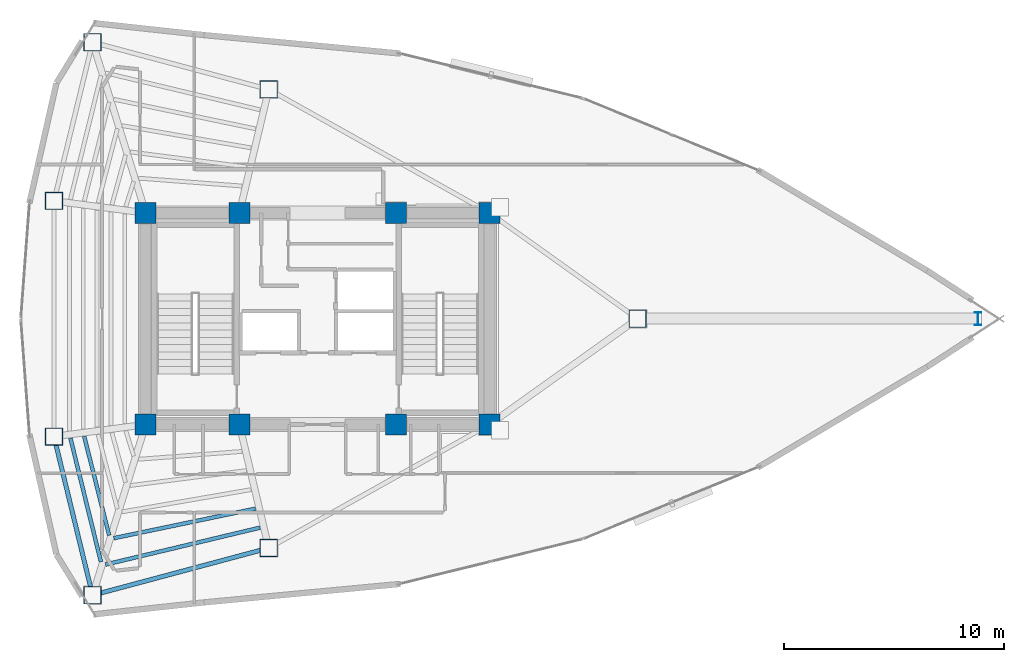
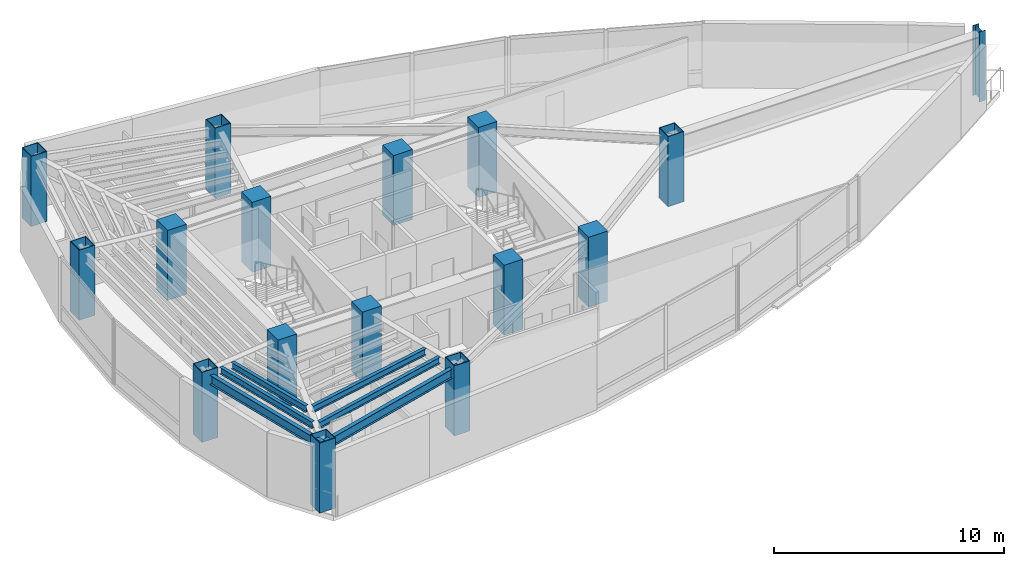
# One storey, part 1 of 17: 16 columns, 6 beams.
"""IFC4 building model written with IfcOpenShell, lengths in metres."""

from ifc_helpers import new_model, si_unit, direction, frame, origin, origin_2d, place, context, subcontext, project, spatial, rectangle, hollow_rectangle, i_section, extrude, material, material_profile, profile_set, type_object, element, save


model = new_model("IFC4")

# Units and contexts
model_context = context("Model", 3, precision=1e-05, world=origin(), true_north=direction((0.0, 1.0)))
body_context = subcontext(model_context, "Body", "Model", "MODEL_VIEW")
ifc_project = project(units=[si_unit("LENGTHUNIT", "METRE"), si_unit("AREAUNIT", "SQUARE_METRE"), si_unit("VOLUMEUNIT", "CUBIC_METRE"), si_unit("PLANEANGLEUNIT", "RADIAN"), si_unit("MASSUNIT", "GRAM", prefix="KILO")], contexts=[model_context])

# Site, building, storey
site_placement = place(None, origin())
site = spatial("IfcSite", under=ifc_project, at=site_placement, CompositionType="ELEMENT")
building_placement = place(site_placement, origin())
building = spatial("IfcBuilding", under=site, at=building_placement, Name="Menara Vayukalpa", CompositionType="ELEMENT")
storey_placement = place(building_placement, frame((0.0, 0.0, 234.419921875)))
storey = spatial("IfcBuildingStorey", under=building, at=storey_placement, Name="L59", CompositionType="ELEMENT", Elevation=234.419921875)

# Columns
ifc_material_1 = material(Name="Concrete C60/75", Category="concrete")
ifc_material_profile_1 = material_profile(ifc_material_1, rectangle(XDim=0.949951171875, YDim=0.949951171875, at=origin_2d()), Name="RC 950x950")
ifc_profile_set_1 = profile_set([ifc_material_profile_1], Name="Concrete C60/75")
column_type_1 = type_object("IfcColumnType", Name="COL-CC2", PredefinedType="COLUMN", material=ifc_profile_set_1)
for number, where, z_axis, x_axis, name in (
    (1, (17.800048828125, 17.199951171875, 0.0), (0.0, 0.0, 1.0), (1.0, 0.0, 0.0), "L59 Core Pilaster Column CC1"),
    (2, (22.050048828125, 17.199951171875, 0.0), (0.0, 0.0, 1.0), (1.0, 0.0, 0.0), "L59 Core Pilaster Column CC2"),
    (3, (29.14990234375, 17.199951171875, 0.0), (0.0, 0.0, 1.0), (1.0, 0.0, 0.0), "L59 Core Pilaster Column CC3"),
    (4, (33.39990234375, 17.199951171875, 0.0), (0.0, 0.0, 1.0), (1.0, 0.0, 0.0), "L59 Core Pilaster Column CC4"),
    (5, (17.800048828125, 26.800048828125, 0.0), (0.0, 0.0, 1.0), (1.0, 0.0, 0.0), "L59 Core Pilaster Column CC5"),
    (6, (22.050048828125, 26.800048828125, 0.0), (0.0, 0.0, 1.0), (1.0, 0.0, 0.0), "L59 Core Pilaster Column CC6"),
    (7, (29.14990234375, 26.800048828125, 0.0), (0.0, 0.0, 1.0), (1.0, 0.0, 0.0), "L59 Core Pilaster Column CC7"),
    (8, (33.39990234375, 26.800048828125, 0.0), (0.0, 0.0, 1.0), (1.0, 0.0, 0.0), "L59 Core Pilaster Column CC8"),
):
    element("IfcColumn", number, at=place(storey_placement, frame(where, z_axis=z_axis, x_axis=x_axis)), inside=storey, type_object=column_type_1, Name=name, PredefinedType="COLUMN", context=body_context, shape_type="SweptSolid", body=[
        extrude(rectangle(XDim=0.949951171875, YDim=0.949951171875, at=origin_2d()), origin(), (0.0, 0.0, 1.0), 3.719970703125),
    ])
ifc_material_2 = material(Name="Steel S355", Category="steel")
ifc_material_profile_2 = material_profile(ifc_material_2, hollow_rectangle(XDim=0.800048828125, YDim=0.800048828125, WallThickness=0.034912109375, at=origin_2d()), Name="BOX 800x800x35")
ifc_profile_set_2 = profile_set([ifc_material_profile_2], Name="Steel S355")
column_type_2 = type_object("IfcColumnType", Name="COL-MC5", PredefinedType="COLUMN", material=ifc_profile_set_2)
for number, where, z_axis, x_axis, name in (
    (9, (40.121826171875, 22.0, 0.0), (0.0, 0.0, 1.0), (1.0, 0.0, 0.0), "L59 Perimeter Mega Column P01"),
    (10, (23.3818359375, 32.40478515625, 0.0), (0.0, 0.0, 1.0), (1.0, 0.0, 0.0), "L59 Perimeter Mega Column P03"),
    (11, (15.38916015625, 34.544677734375, 0.0), (0.0, 0.0, 1.0), (1.0, 0.0, 0.0), "L59 Perimeter Mega Column P04"),
    (12, (13.638916015625, 27.3466796875, 0.0), (0.0, 0.0, 1.0), (1.0, 0.0, 0.0), "L59 Perimeter Mega Column P05"),
    (13, (13.638916015625, 16.6533203125, 0.0), (0.0, 0.0, 1.0), (1.0, 0.0, 0.0), "L59 Perimeter Mega Column P06"),
    (14, (15.38916015625, 9.455322265625, 0.0), (0.0, 0.0, 1.0), (1.0, 0.0, 0.0), "L59 Perimeter Mega Column P07"),
    (15, (23.3818359375, 11.59521484375, 0.0), (0.0, 0.0, 1.0), (1.0, 0.0, 0.0), "L59 Perimeter Mega Column P08"),
):
    element("IfcColumn", number, at=place(storey_placement, frame(where, z_axis=z_axis, x_axis=x_axis)), inside=storey, type_object=column_type_2, Name=name, PredefinedType="COLUMN", context=body_context, shape_type="SweptSolid", body=[
        extrude(hollow_rectangle(XDim=0.800048828125, YDim=0.800048828125, WallThickness=0.034912109375, at=origin_2d()), origin(), (0.0, 0.0, 1.0), 3.719970703125),
    ])
ifc_material_3 = material(Name="Steel S460", Category="steel")
ifc_material_profile_3 = material_profile(ifc_material_3, i_section(OverallWidth=0.300048828125, OverallDepth=0.587890625, WebThickness=0.011962890625, FlangeThickness=0.02001953125, at=origin_2d()), Name="H 588x300x12x20")
ifc_profile_set_3 = profile_set([ifc_material_profile_3], Name="Steel S460")
column_type_3 = type_object("IfcColumnType", Name="COL-SC1", PredefinedType="COLUMN", material=ifc_profile_set_3)
column_placement = place(storey_placement, frame((55.564697265625, 22.0, 0.0), z_axis=(0.0, 0.0, 1.0), x_axis=(1.0, 0.0, 0.0)))
element("IfcColumn", 16, at=column_placement, inside=storey, type_object=column_type_3, Name="L59 SB5 Sky Bar Vierendeel Column SB01", PredefinedType="COLUMN", context=body_context, shape_type="SweptSolid", body=[
    extrude(i_section(OverallWidth=0.300048828125, OverallDepth=0.587890625, WebThickness=0.011962890625, FlangeThickness=0.02001953125, at=origin_2d()), origin(), (0.0, 0.0, 1.0), 3.719970703125),
])

# Beams
ifc_material_4 = material(Name="Steel S355", Category="steel")
ifc_material_profile_4 = material_profile(ifc_material_4, i_section(OverallWidth=0.175048828125, OverallDepth=0.35009765625, WebThickness=0.007080078125, FlangeThickness=0.010986328125, at=origin_2d()), Name="WF 350x175x7x11")
ifc_profile_set_4 = profile_set([ifc_material_profile_4], Name="Steel S355")
beam_type_1 = type_object("IfcBeamType", Name="BM-SJ3", PredefinedType="JOIST", material=ifc_profile_set_4)
beam_1_placement = place(storey_placement, frame((15.010986328125, 16.6630859375, 3.26513671875), z_axis=(0.244247063973, -0.969713035769, 0.0), x_axis=(0.969713035769, 0.244247063973, 0.0)))
element("IfcBeam", 17, at=beam_1_placement, inside=storey, type_object=beam_type_1, Name="L59 Secondary Floor Joist SJ06-4", PredefinedType="JOIST", context=body_context, shape_type="SweptSolid", body=[
    extrude(i_section(OverallWidth=0.175048828125, OverallDepth=0.35009765625, WebThickness=0.007080078125, FlangeThickness=0.010986328125, at=origin_2d()), origin(), (0.0, 0.0, 1.0), 4.630859375),
])
beam_2_placement = place(storey_placement, frame((14.384033203125, 16.580810546875, 3.26513671875), z_axis=(0.239671161383, -0.970854126222, 0.0), x_axis=(0.970854126222, 0.239671161383, 0.0)))
element("IfcBeam", 18, at=beam_2_placement, inside=storey, type_object=beam_type_1, Name="L59 Secondary Floor Joist SJ06-5", PredefinedType="JOIST", context=body_context, shape_type="SweptSolid", body=[
    extrude(i_section(OverallWidth=0.175048828125, OverallDepth=0.35009765625, WebThickness=0.007080078125, FlangeThickness=0.010986328125, at=origin_2d()), origin(), (0.0, 0.0, 1.0), 5.77783203125),
])
beam_3_placement = place(storey_placement, frame((16.35009765625, 12.0419921875, 3.26513671875), z_axis=(0.978941451827, 0.204141210671, 0.0), x_axis=(-0.204141210671, 0.978941451827, 0.0)))
element("IfcBeam", 19, at=beam_3_placement, inside=storey, type_object=beam_type_1, Name="L59 Secondary Floor Joist SJ07-4", PredefinedType="JOIST", context=body_context, shape_type="SweptSolid", body=[
    extrude(i_section(OverallWidth=0.175048828125, OverallDepth=0.35009765625, WebThickness=0.007080078125, FlangeThickness=0.010986328125, at=origin_2d()), origin(), (0.0, 0.0, 1.0), 6.570556640625),
])
beam_4_placement = place(storey_placement, frame((15.97509765625, 10.845947265625, 3.26513671875), z_axis=(0.972642465748, 0.232307197097, 0.0), x_axis=(-0.232307197097, 0.972642465748, 0.0)))
element("IfcBeam", 20, at=beam_4_placement, inside=storey, type_object=beam_type_1, Name="L59 Secondary Floor Joist SJ07-5", PredefinedType="JOIST", context=body_context, shape_type="SweptSolid", body=[
    extrude(i_section(OverallWidth=0.175048828125, OverallDepth=0.35009765625, WebThickness=0.007080078125, FlangeThickness=0.010986328125, at=origin_2d()), origin(), (0.0, 0.0, 1.0), 7.20947265625),
])
ifc_material_5 = material(Name="Steel S355", Category="steel")
ifc_material_profile_5 = material_profile(ifc_material_5, i_section(OverallWidth=0.199951171875, OverallDepth=0.5, WebThickness=0.010009765625, FlangeThickness=0.01611328125, at=origin_2d()), Name="WF 500x200x10x16")
ifc_profile_set_5 = profile_set([ifc_material_profile_5], Name="Steel S355")
beam_type_2 = type_object("IfcBeamType", Name="BM-SP3", PredefinedType="SPANDREL", material=ifc_profile_set_5)
beam_5_placement = place(storey_placement, frame((13.638916015625, 16.6533203125, 3.190185546875), z_axis=(0.236272525754, -0.97168682896, 0.0), x_axis=(0.97168682896, 0.236272525754, 0.0)))
element("IfcBeam", 21, at=beam_5_placement, inside=storey, type_object=beam_type_2, Name="L59 Perimeter Spandrel Beam SP06", PredefinedType="SPANDREL", context=body_context, shape_type="SweptSolid", body=[
    extrude(i_section(OverallWidth=0.199951171875, OverallDepth=0.5, WebThickness=0.010009765625, FlangeThickness=0.01611328125, at=origin_2d()), origin(), (0.0, 0.0, 1.0), 7.40771484375),
])
beam_6_placement = place(storey_placement, frame((15.38916015625, 9.455322265625, 3.190185546875), z_axis=(0.965978332552, 0.258623009494, 0.0), x_axis=(-0.258623009494, 0.965978332552, 0.0)))
element("IfcBeam", 22, at=beam_6_placement, inside=storey, type_object=beam_type_2, Name="L59 Perimeter Spandrel Beam SP07", PredefinedType="SPANDREL", context=body_context, shape_type="SweptSolid", body=[
    extrude(i_section(OverallWidth=0.199951171875, OverallDepth=0.5, WebThickness=0.010009765625, FlangeThickness=0.01611328125, at=origin_2d()), origin(), (0.0, 0.0, 1.0), 8.274169921875),
])

save(model, "model.ifc")
